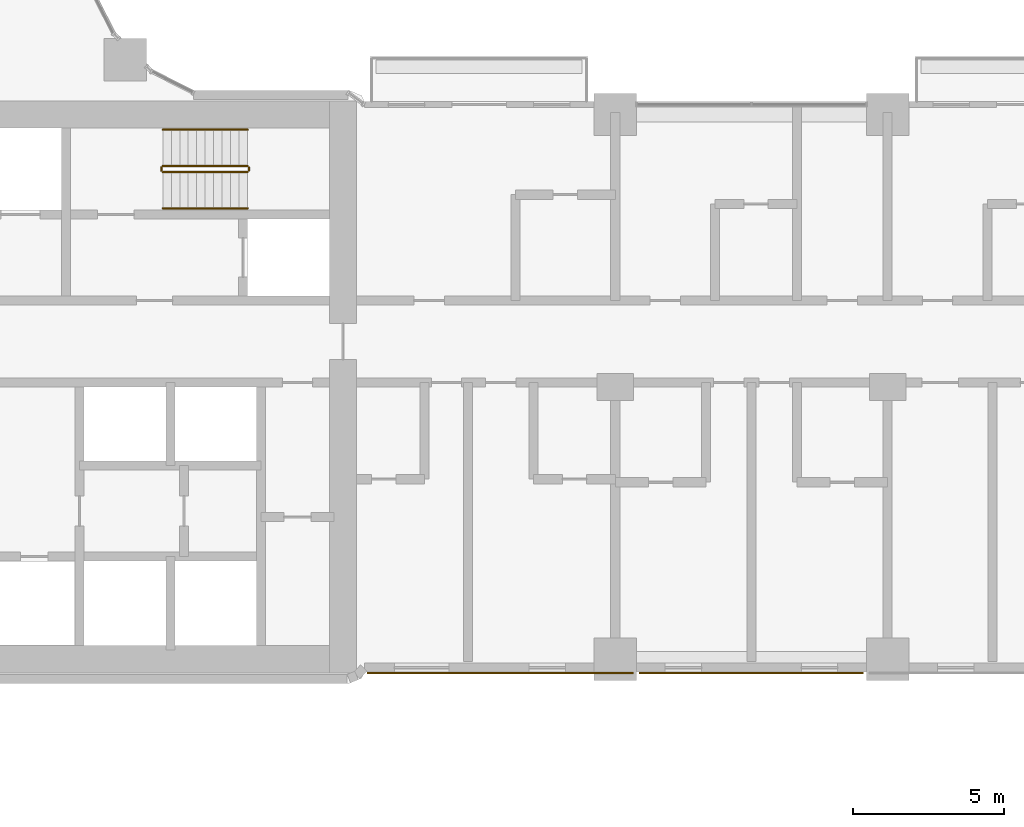
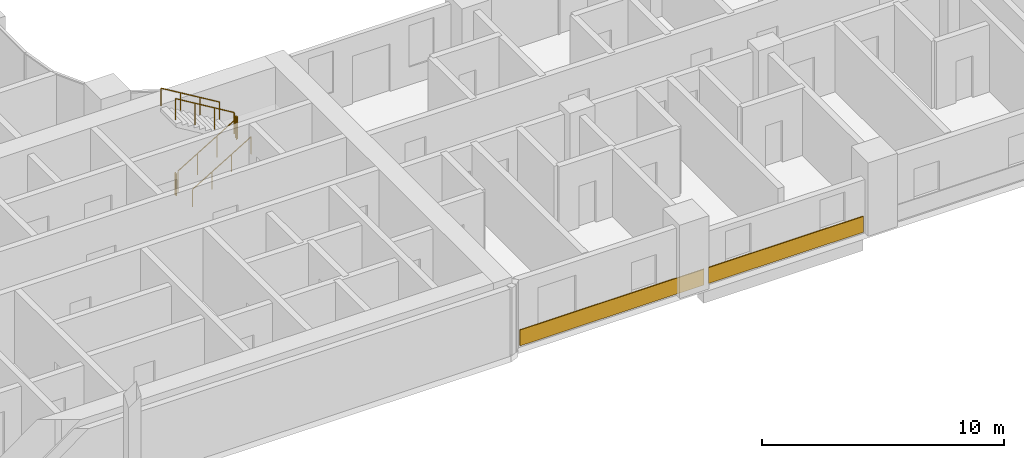
# One storey, part 26 of 30: 6 railings, 2 coverings.
"""IFC4 building model written with IfcOpenShell, lengths in metres."""

from ifc_helpers import new_model, si_unit, direction, frame, origin, origin_2d, place, context, subcontext, project, spatial, rectangle, circle, extrude, material, layer, layer_set, type_object, element, save


model = new_model("IFC4")

# Units and contexts
model_context = context("Model", 3, precision=1e-05, world=origin(), true_north=direction((0.0, 1.0)))
body_context = subcontext(model_context, "Body", "Model", "MODEL_VIEW")
ifc_project = project(units=[si_unit("LENGTHUNIT", "METRE"), si_unit("AREAUNIT", "SQUARE_METRE"), si_unit("VOLUMEUNIT", "CUBIC_METRE"), si_unit("PLANEANGLEUNIT", "RADIAN"), si_unit("MASSUNIT", "GRAM", prefix="KILO")], contexts=[model_context])

# Site, building, storey
site_placement = place(None, origin())
site = spatial("IfcSite", under=ifc_project, at=site_placement, CompositionType="ELEMENT")
building_placement = place(site_placement, origin())
building = spatial("IfcBuilding", under=site, at=building_placement, Name="Ogive Portal Towers", CompositionType="ELEMENT")
storey_placement = place(building_placement, frame((0.0, 0.0, 37.199951171875)))
storey = spatial("IfcBuildingStorey", under=building, at=storey_placement, Name="L07", CompositionType="ELEMENT", Elevation=37.199951171875)

# Railings
ifc_material_1 = material(Name="Stainless steel balustrade", Category="steel")
railing_type_1 = type_object("IfcRailingType", Name="INT-GUARD", PredefinedType="GUARDRAIL", material=ifc_material_1)
railing_1_placement = place(storey_placement, frame((52.550048828125, 37.60009765625, 0.168212890625)))
element("IfcRailing", 1, at=railing_1_placement, inside=storey, type_object=railing_type_1, Name="L07 ST-A2 stair guard 1", PredefinedType="GUARDRAIL", context=body_context, shape_type="SweptSolid", body=[
    extrude(circle(Radius=0.02392578125, at=origin_2d()), frame((0.0, 0.0, 1.076171875), z_axis=(0.857242210791, 0.0, 0.514913383045), x_axis=(0.0, 1.0, 0.0)), (0.0, 0.0, 1.0), 3.266357421875),
    extrude(circle(Radius=0.02099609375, at=origin_2d()), origin(), (0.0, 0.0, 1.0), 1.052001953125),
    extrude(circle(Radius=0.02099609375, at=origin_2d()), frame((0.933349609375, 0.0, 0.560546875)), (0.0, 0.0, 1.0), 1.052001953125),
    extrude(circle(Radius=0.02099609375, at=origin_2d()), frame((1.86669921875, 0.0, 1.121337890625)), (0.0, 0.0, 1.0), 1.052001953125),
    extrude(circle(Radius=0.02099609375, at=origin_2d()), frame((2.800048828125, 0.0, 1.681884765625)), (0.0, 0.0, 1.0), 1.052001953125),
])
railing_2_placement = place(storey_placement, frame((55.39990234375, 37.64990234375, 1.85009765625)))
element("IfcRailing", 2, at=railing_2_placement, inside=storey, type_object=railing_type_1, Name="L07 ST-A2 stair guard 2", PredefinedType="GUARDRAIL", context=body_context, shape_type="SweptSolid", body=[
    extrude(circle(Radius=0.02392578125, at=origin_2d()), frame((0.0, 0.0, 1.076171875), z_axis=(0.0, 1.0, 0.0), x_axis=(-1.0, 0.0, 0.0)), (0.0, 0.0, 1.0), 0.10009765625),
    extrude(circle(Radius=0.02099609375, at=origin_2d()), origin(), (0.0, 0.0, 1.0), 1.052001953125),
    extrude(circle(Radius=0.02099609375, at=origin_2d()), frame((0.0, 0.10009765625, 0.0)), (0.0, 0.0, 1.0), 1.052001953125),
])
railing_3_placement = place(storey_placement, frame((55.35009765625, 37.800048828125, 2.018310546875)))
element("IfcRailing", 3, at=railing_3_placement, inside=storey, type_object=railing_type_1, Name="L07 ST-A2 stair guard 3", PredefinedType="GUARDRAIL", context=body_context, shape_type="SweptSolid", body=[
    extrude(circle(Radius=0.02392578125, at=origin_2d()), frame((0.0, 0.0, 1.076171875), z_axis=(-0.857275202839, 0.0, 0.514858452973), x_axis=(0.0, -1.0, 0.0)), (0.0, 0.0, 1.0), 3.26611328125),
    extrude(circle(Radius=0.02099609375, at=origin_2d()), origin(), (0.0, 0.0, 1.0), 1.052001953125),
    extrude(circle(Radius=0.02099609375, at=origin_2d()), frame((-0.933349609375, 0.0, 0.560546875)), (0.0, 0.0, 1.0), 1.052001953125),
    extrude(circle(Radius=0.02099609375, at=origin_2d()), frame((-1.86669921875, 0.0, 1.12109375)), (0.0, 0.0, 1.0), 1.052001953125),
    extrude(circle(Radius=0.02099609375, at=origin_2d()), frame((-2.800048828125, 0.0, 1.681640625)), (0.0, 0.0, 1.0), 1.052001953125),
])
railing_4_placement = place(storey_placement, frame((52.5, 37.64990234375, 0.0)))
element("IfcRailing", 4, at=railing_4_placement, inside=storey, type_object=railing_type_1, Name="L07 ST-A2 stair guard 4", PredefinedType="GUARDRAIL", context=body_context, shape_type="SweptSolid", body=[
    extrude(circle(Radius=0.02392578125, at=origin_2d()), frame((0.0, 0.0, 1.076171875), z_axis=(0.0, 1.0, 0.0), x_axis=(-1.0, 0.0, 0.0)), (0.0, 0.0, 1.0), 0.10009765625),
    extrude(circle(Radius=0.02099609375, at=origin_2d()), origin(), (0.0, 0.0, 1.0), 1.052001953125),
    extrude(circle(Radius=0.02099609375, at=origin_2d()), frame((0.0, 0.10009765625, 0.0)), (0.0, 0.0, 1.0), 1.052001953125),
])
ifc_material_2 = material(Name="Stainless steel handrail", Category="steel")
railing_type_2 = type_object("IfcRailingType", Name="INT-HANDRAIL", PredefinedType="HANDRAIL", material=ifc_material_2)
railing_5_placement = place(storey_placement, frame((52.550048828125, 36.39990234375, 0.168212890625)))
element("IfcRailing", 5, at=railing_5_placement, inside=storey, type_object=railing_type_2, Name="L07 ST-A2 stair handrail 1", PredefinedType="HANDRAIL", context=body_context, shape_type="SweptSolid", body=[
    extrude(circle(Radius=0.02392578125, at=origin_2d()), frame((0.0, 0.0, 0.8759765625), z_axis=(0.857242210791, 0.0, 0.514913383045), x_axis=(0.0, 1.0, 0.0)), (0.0, 0.0, 1.0), 3.266357421875),
    extrude(circle(Radius=0.02099609375, at=origin_2d()), origin(), (0.0, 0.0, 1.0), 0.851806640625),
    extrude(circle(Radius=0.02099609375, at=origin_2d()), frame((0.933349609375, 0.0, 0.560546875)), (0.0, 0.0, 1.0), 0.851806640625),
    extrude(circle(Radius=0.02099609375, at=origin_2d()), frame((1.86669921875, 0.0, 1.121337890625)), (0.0, 0.0, 1.0), 0.851806640625),
    extrude(circle(Radius=0.02099609375, at=origin_2d()), frame((2.800048828125, 0.0, 1.681884765625)), (0.0, 0.0, 1.0), 0.851806640625),
])
railing_6_placement = place(storey_placement, frame((55.35009765625, 39.0, 2.018310546875)))
element("IfcRailing", 6, at=railing_6_placement, inside=storey, type_object=railing_type_2, Name="L07 ST-A2 stair handrail 2", PredefinedType="HANDRAIL", context=body_context, shape_type="SweptSolid", body=[
    extrude(circle(Radius=0.02392578125, at=origin_2d()), frame((0.0, 0.0, 0.8759765625), z_axis=(-0.857275202839, 0.0, 0.514858452973), x_axis=(0.0, -1.0, 0.0)), (0.0, 0.0, 1.0), 3.26611328125),
    extrude(circle(Radius=0.02099609375, at=origin_2d()), origin(), (0.0, 0.0, 1.0), 0.851806640625),
    extrude(circle(Radius=0.02099609375, at=origin_2d()), frame((-0.933349609375, 0.0, 0.560546875)), (0.0, 0.0, 1.0), 0.851806640625),
    extrude(circle(Radius=0.02099609375, at=origin_2d()), frame((-1.86669921875, 0.0, 1.12109375)), (0.0, 0.0, 1.0), 0.851806640625),
    extrude(circle(Radius=0.02099609375, at=origin_2d()), frame((-2.800048828125, 0.0, 1.681640625)), (0.0, 0.0, 1.0), 0.851806640625),
])

# Coverings
ifc_material_3 = material(Name="Limestone cladding on lightweight block wall", Category="masonry")
ifc_layer = layer(ifc_material_3, 0.050048828125)
ifc_layer_set = layer_set([ifc_layer], Name="SCREEN PERFORATED STONE")
covering_type = type_object("IfcCoveringType", Name="SCREEN PERFORATED STONE", PredefinedType="CLADDING", material=ifc_layer_set)
covering_1_placement = place(storey_placement, frame((63.703369140625, 21.050048828125, 0.10009765625), z_axis=(0.0, 0.0, 1.0), x_axis=(1.0, 0.0, 0.0)))
element("IfcCovering", 7, at=covering_1_placement, inside=storey, type_object=covering_type, Name="Tracery screen", PredefinedType="CLADDING", context=body_context, shape_type="SweptSolid", body=[
    extrude(rectangle(XDim=8.793212890625, YDim=0.050048828125, at=origin_2d()), origin(), (0.0, 0.0, 1.0), 0.800048828125),
])
covering_2_placement = place(storey_placement, frame((72.0, 21.050048828125, 0.10009765625), z_axis=(0.0, 0.0, 1.0), x_axis=(1.0, 0.0, 0.0)))
element("IfcCovering", 8, at=covering_2_placement, inside=storey, type_object=covering_type, Name="Tracery screen", PredefinedType="CLADDING", context=body_context, shape_type="SweptSolid", body=[
    extrude(rectangle(XDim=7.39990234375, YDim=0.050048828125, at=origin_2d()), origin(), (0.0, 0.0, 1.0), 0.800048828125),
])

save(model, "model.ifc")
